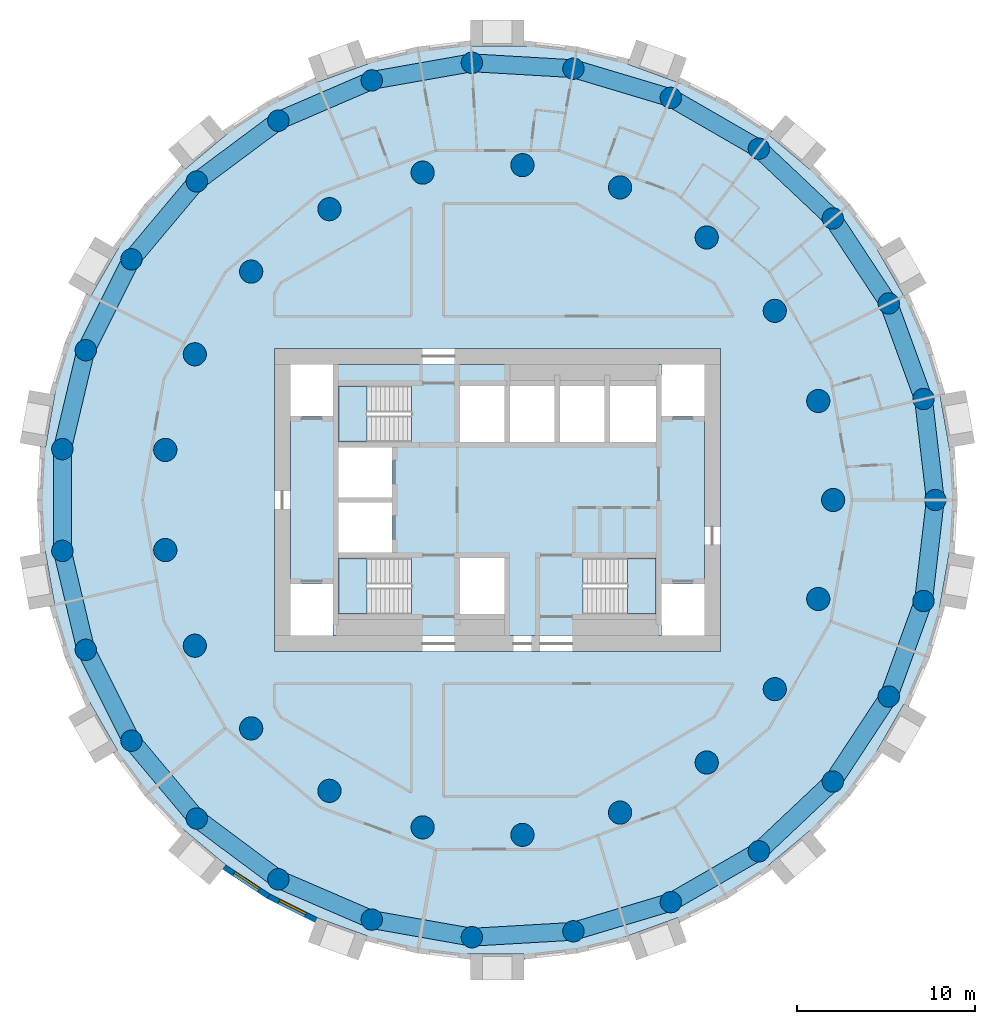
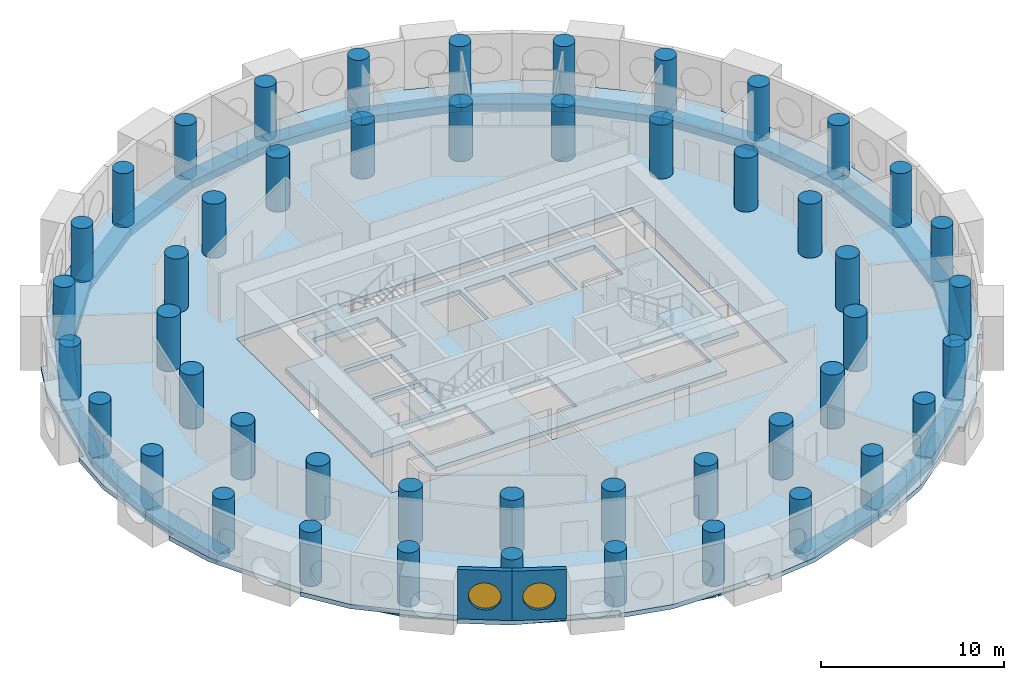
# One storey, part 1 of 9: 48 columns, 27 beams, 5 slabs, 2 walls, 2 windows, 2 openings, 3 elements without a shape of their own.
"""IFC4 building model written with IfcOpenShell, lengths in metres."""

from ifc_helpers import new_model, si_unit, direction, frame, frame_2d, origin, origin_2d, place, context, subcontext, project, spatial, polyline, rectangle, circle, outline, extrude, material, layer, layer_set, material_profile, profile_set, type_object, element, fill, aggregate, save


model = new_model("IFC4")

# Units and contexts
model_context = context("Model", 3, precision=1e-05, world=origin(), true_north=direction((0.0, 1.0)))
body_context = subcontext(model_context, "Body", "Model", "MODEL_VIEW")
ifc_project = project(units=[si_unit("LENGTHUNIT", "METRE"), si_unit("AREAUNIT", "SQUARE_METRE"), si_unit("VOLUMEUNIT", "CUBIC_METRE"), si_unit("PLANEANGLEUNIT", "RADIAN"), si_unit("MASSUNIT", "GRAM", prefix="KILO")], contexts=[model_context])

# Site, building, storey
site_placement = place(None, origin())
site = spatial("IfcSite", under=ifc_project, at=site_placement, CompositionType="ELEMENT")
building_placement = place(site_placement, origin())
building = spatial("IfcBuilding", under=site, at=building_placement, Name="Tracery Tower", CompositionType="ELEMENT")
storey_placement = place(building_placement, frame((0.0, 0.0, 165.60009765625)))
storey = spatial("IfcBuildingStorey", under=building, at=storey_placement, Name="L42", CompositionType="ELEMENT", Elevation=165.60009765625)

# Columns
ifc_material_1 = material(Name="Concrete C50/60", Category="concrete")
ifc_material_profile_1 = material_profile(ifc_material_1, circle(Radius=0.60009765625, at=origin_2d()), Name="RC D1200")
ifc_profile_set_1 = profile_set([ifc_material_profile_1], Name="Concrete C50/60")
column_type_1 = type_object("IfcColumnType", Name="Ring 1 column 1200", PredefinedType="COLUMN", material=ifc_profile_set_1)
for number, where, z_axis, x_axis, name in (
    (1, (24.547607421875, 0.0, 0.0), (0.0, 0.0, 1.0), (1.0, 0.0, 0.0), "Ring 1 column 00 at L42"),
    (2, (23.885986328125, 5.6611328125, 0.0), (0.0, 0.0, 1.0), (1.0, 0.0, 0.0), "Ring 1 column 01 at L42"),
    (3, (21.9365234375, 11.01708984375, 0.0), (0.0, 0.0, 1.0), (1.0, 0.0, 0.0), "Ring 1 column 02 at L42"),
    (4, (18.8046875, 15.779052734375, 0.0), (0.0, 0.0, 1.0), (1.0, 0.0, 0.0), "Ring 1 column 03 at L42"),
    (5, (14.658935546875, 19.690185546875, 0.0), (0.0, 0.0, 1.0), (1.0, 0.0, 0.0), "Ring 1 column 04 at L42"),
    (6, (9.722900390625, 22.5400390625, 0.0), (0.0, 0.0, 1.0), (1.0, 0.0, 0.0), "Ring 1 column 05 at L42"),
    (7, (4.2626953125, 24.1748046875, 0.0), (0.0, 0.0, 1.0), (1.0, 0.0, 0.0), "Ring 1 column 06 at L42"),
    (8, (-1.42724609375, 24.506103515625, 0.0), (0.0, 0.0, 1.0), (1.0, 0.0, 0.0), "Ring 1 column 07 at L42"),
    (9, (-7.040283203125, 23.516357421875, 0.0), (0.0, 0.0, 1.0), (1.0, 0.0, 0.0), "Ring 1 column 08 at L42"),
    (10, (-12.273681640625, 21.2587890625, 0.0), (0.0, 0.0, 1.0), (1.0, 0.0, 0.0), "Ring 1 column 09 at L42"),
    (11, (-16.845703125, 17.855224609375, 0.0), (0.0, 0.0, 1.0), (1.0, 0.0, 0.0), "Ring 1 column 10 at L42"),
    (12, (-20.50927734375, 13.4892578125, 0.0), (0.0, 0.0, 1.0), (1.0, 0.0, 0.0), "Ring 1 column 11 at L42"),
    (13, (-23.0673828125, 8.395751953125, 0.0), (0.0, 0.0, 1.0), (1.0, 0.0, 0.0), "Ring 1 column 12 at L42"),
    (14, (-24.381591796875, 2.849853515625, 0.0), (0.0, 0.0, 1.0), (1.0, 0.0, 0.0), "Ring 1 column 13 at L42"),
    (15, (-24.381591796875, -2.849853515625, 0.0), (0.0, 0.0, 1.0), (1.0, 0.0, 0.0), "Ring 1 column 14 at L42"),
    (16, (-23.0673828125, -8.395751953125, 0.0), (0.0, 0.0, 1.0), (1.0, 0.0, 0.0), "Ring 1 column 15 at L42"),
    (17, (-20.50927734375, -13.4892578125, 0.0), (0.0, 0.0, 1.0), (1.0, 0.0, 0.0), "Ring 1 column 16 at L42"),
    (18, (-16.845703125, -17.85546875, 0.0), (0.0, 0.0, 1.0), (1.0, 0.0, 0.0), "Ring 1 column 17 at L42"),
    (19, (-12.27392578125, -21.2587890625, 0.0), (0.0, 0.0, 1.0), (1.0, 0.0, 0.0), "Ring 1 column 18 at L42"),
    (20, (-7.040283203125, -23.516357421875, 0.0), (0.0, 0.0, 1.0), (1.0, 0.0, 0.0), "Ring 1 column 19 at L42"),
    (21, (-1.42724609375, -24.506103515625, 0.0), (0.0, 0.0, 1.0), (1.0, 0.0, 0.0), "Ring 1 column 20 at L42"),
    (22, (4.2626953125, -24.1748046875, 0.0), (0.0, 0.0, 1.0), (1.0, 0.0, 0.0), "Ring 1 column 21 at L42"),
    (23, (9.722900390625, -22.5400390625, 0.0), (0.0, 0.0, 1.0), (1.0, 0.0, 0.0), "Ring 1 column 22 at L42"),
    (24, (14.658935546875, -19.690185546875, 0.0), (0.0, 0.0, 1.0), (1.0, 0.0, 0.0), "Ring 1 column 23 at L42"),
    (25, (18.8046875, -15.779052734375, 0.0), (0.0, 0.0, 1.0), (1.0, 0.0, 0.0), "Ring 1 column 24 at L42"),
    (26, (21.9365234375, -11.01708984375, 0.0), (0.0, 0.0, 1.0), (1.0, 0.0, 0.0), "Ring 1 column 25 at L42"),
    (27, (23.885986328125, -5.6611328125, 0.0), (0.0, 0.0, 1.0), (1.0, 0.0, 0.0), "Ring 1 column 26 at L42"),
):
    element("IfcColumn", number, at=place(storey_placement, frame(where, z_axis=z_axis, x_axis=x_axis)), inside=storey, type_object=column_type_1, Name=name, PredefinedType="COLUMN", context=body_context, shape_type="SweptSolid", body=[
        extrude(circle(Radius=0.60009765625, at=origin_2d()), origin(), (0.0, 0.0, 1.0), 3.599853515625),
    ])
ifc_material_2 = material(Name="Concrete C50/60", Category="concrete")
ifc_material_profile_2 = material_profile(ifc_material_2, circle(Radius=0.64990234375, at=origin_2d()), Name="RC D1300")
ifc_profile_set_2 = profile_set([ifc_material_profile_2], Name="Concrete C50/60")
column_type_2 = type_object("IfcColumnType", Name="Ring 2 column 1300", PredefinedType="COLUMN", material=ifc_profile_set_2)
for number, where, z_axis, x_axis, name in (
    (28, (18.822265625, 0.0, 0.0), (0.0, 0.0, 1.0), (1.0, 0.0, 0.0), "Ring 2 column 00 at L42"),
    (29, (17.986083984375, 5.5478515625, 0.0), (0.0, 0.0, 1.0), (1.0, 0.0, 0.0), "Ring 2 column 01 at L42"),
    (30, (15.551513671875, 10.602783203125, 0.0), (0.0, 0.0, 1.0), (1.0, 0.0, 0.0), "Ring 2 column 02 at L42"),
    (31, (11.7353515625, 14.7158203125, 0.0), (0.0, 0.0, 1.0), (1.0, 0.0, 0.0), "Ring 2 column 03 at L42"),
    (32, (6.87646484375, 17.52099609375, 0.0), (0.0, 0.0, 1.0), (1.0, 0.0, 0.0), "Ring 2 column 04 at L42"),
    (33, (1.406494140625, 18.76953125, 0.0), (0.0, 0.0, 1.0), (1.0, 0.0, 0.0), "Ring 2 column 05 at L42"),
    (34, (-4.188232421875, 18.350341796875, 0.0), (0.0, 0.0, 1.0), (1.0, 0.0, 0.0), "Ring 2 column 06 at L42"),
    (35, (-9.4111328125, 16.300537109375, 0.0), (0.0, 0.0, 1.0), (1.0, 0.0, 0.0), "Ring 2 column 07 at L42"),
    (36, (-13.797607421875, 12.802490234375, 0.0), (0.0, 0.0, 1.0), (1.0, 0.0, 0.0), "Ring 2 column 08 at L42"),
    (37, (-16.958251953125, 8.16650390625, 0.0), (0.0, 0.0, 1.0), (1.0, 0.0, 0.0), "Ring 2 column 09 at L42"),
    (38, (-18.612060546875, 2.805419921875, 0.0), (0.0, 0.0, 1.0), (1.0, 0.0, 0.0), "Ring 2 column 10 at L42"),
    (39, (-18.612060546875, -2.805419921875, 0.0), (0.0, 0.0, 1.0), (1.0, 0.0, 0.0), "Ring 2 column 11 at L42"),
    (40, (-16.958251953125, -8.166748046875, 0.0), (0.0, 0.0, 1.0), (1.0, 0.0, 0.0), "Ring 2 column 12 at L42"),
    (41, (-13.797607421875, -12.80224609375, 0.0), (0.0, 0.0, 1.0), (1.0, 0.0, 0.0), "Ring 2 column 13 at L42"),
    (42, (-9.4111328125, -16.300537109375, 0.0), (0.0, 0.0, 1.0), (1.0, 0.0, 0.0), "Ring 2 column 14 at L42"),
    (43, (-4.188232421875, -18.350341796875, 0.0), (0.0, 0.0, 1.0), (1.0, 0.0, 0.0), "Ring 2 column 15 at L42"),
    (44, (1.406494140625, -18.76953125, 0.0), (0.0, 0.0, 1.0), (1.0, 0.0, 0.0), "Ring 2 column 16 at L42"),
    (45, (6.87646484375, -17.52099609375, 0.0), (0.0, 0.0, 1.0), (1.0, 0.0, 0.0), "Ring 2 column 17 at L42"),
    (46, (11.7353515625, -14.7158203125, 0.0), (0.0, 0.0, 1.0), (1.0, 0.0, 0.0), "Ring 2 column 18 at L42"),
    (47, (15.551513671875, -10.602783203125, 0.0), (0.0, 0.0, 1.0), (1.0, 0.0, 0.0), "Ring 2 column 19 at L42"),
    (48, (17.986083984375, -5.5478515625, 0.0), (0.0, 0.0, 1.0), (1.0, 0.0, 0.0), "Ring 2 column 20 at L42"),
):
    element("IfcColumn", number, at=place(storey_placement, frame(where, z_axis=z_axis, x_axis=x_axis)), inside=storey, type_object=column_type_2, Name=name, PredefinedType="COLUMN", context=body_context, shape_type="SweptSolid", body=[
        extrude(circle(Radius=0.64990234375, at=origin_2d()), origin(), (0.0, 0.0, 1.0), 3.599853515625),
    ])

# Beams
ifc_material_3 = material(Name="Concrete C50/60", Category="concrete")
ifc_material_profile_3 = material_profile(ifc_material_3, rectangle(XDim=1.0, YDim=0.5, at=origin_2d()), Name="RC 1000x500")
ifc_profile_set_3 = profile_set([ifc_material_profile_3], Name="Concrete C50/60")
beam_type = type_object("IfcBeamType", Name="Perimeter band beam 1000x500", PredefinedType="BEAM", material=ifc_profile_set_3)
for number, where, z_axis, x_axis, name in (
    (49, (24.547607421875, 0.0, -0.550048828125), (-0.116080723252, 0.993239782575, 0.0), (-0.993239782575, -0.116080723252, 0.0), "Perimeter beam 1.00 under L42"),
    (50, (23.885986328125, 5.6611328125, -0.550048828125), (-0.342028502279, 0.939689578334, 0.0), (-0.939689578334, -0.342028502279, 0.0), "Perimeter beam 1.01 under L42"),
):
    element("IfcBeam", number, at=place(storey_placement, frame(where, z_axis=z_axis, x_axis=x_axis)), inside=storey, type_object=beam_type, Name=name, PredefinedType="BEAM", context=body_context, shape_type="SweptSolid", body=[
        extrude(rectangle(XDim=1.0, YDim=0.5, at=origin_2d()), origin(), (0.0, 0.0, 1.0), 5.69970703125),
    ])
for number, where, z_axis, x_axis, name in (
    (51, (21.9365234375, 11.01708984375, -0.550048828125), (-0.549489832182, 0.835500403548, 0.0), (-0.835500403548, -0.549489832182, 0.0), "Perimeter beam 1.02 under L42"),
    (52, (18.8046875, 15.779052734375, -0.550048828125), (-0.727389618263, 0.686224703172, 0.0), (-0.686224703172, -0.727389618263, 0.0), "Perimeter beam 1.03 under L42"),
):
    element("IfcBeam", number, at=place(storey_placement, frame(where, z_axis=z_axis, x_axis=x_axis)), inside=storey, type_object=beam_type, Name=name, PredefinedType="BEAM", context=body_context, shape_type="SweptSolid", body=[
        extrude(rectangle(XDim=1.0, YDim=0.5, at=origin_2d()), origin(), (0.0, 0.0, 1.0), 5.699462890625),
    ])
for number, where, z_axis, x_axis, name in (
    (53, (14.658935546875, 19.690185546875, -0.550048828125), (-0.866022950691, 0.500004248858, 0.0), (-0.500004248858, -0.866022950691, 0.0), "Perimeter beam 1.04 under L42"),
    (54, (9.722900390625, 22.5400390625, -0.550048828125), (-0.957985292634, 0.28681732705, 0.0), (-0.28681732705, -0.957985292634, 0.0), "Perimeter beam 1.05 under L42"),
):
    element("IfcBeam", number, at=place(storey_placement, frame(where, z_axis=z_axis, x_axis=x_axis)), inside=storey, type_object=beam_type, Name=name, PredefinedType="BEAM", context=body_context, shape_type="SweptSolid", body=[
        extrude(rectangle(XDim=1.0, YDim=0.5, at=origin_2d()), origin(), (0.0, 0.0, 1.0), 5.69970703125),
    ])
beam_1_placement = place(storey_placement, frame((4.2626953125, 24.1748046875, -0.550048828125), z_axis=(-0.99830920221, 0.058126902403, 0.0), x_axis=(-0.058126902403, -0.99830920221, 0.0)))
element("IfcBeam", 55, at=beam_1_placement, inside=storey, type_object=beam_type, Name="Perimeter beam 1.06 under L42", PredefinedType="BEAM", context=body_context, shape_type="SweptSolid", body=[
    extrude(rectangle(XDim=1.0, YDim=0.5, at=origin_2d()), origin(), (0.0, 0.0, 1.0), 5.699462890625),
])
beam_2_placement = place(storey_placement, frame((-1.42724609375, 24.506103515625, -0.550048828125), z_axis=(-0.984807266719, -0.173650935552, 0.0), x_axis=(0.173650935552, -0.984807266719, 0.0)))
element("IfcBeam", 56, at=beam_2_placement, inside=storey, type_object=beam_type, Name="Perimeter beam 1.07 under L42", PredefinedType="BEAM", context=body_context, shape_type="SweptSolid", body=[
    extrude(rectangle(XDim=1.0, YDim=0.5, at=origin_2d()), origin(), (0.0, 0.0, 1.0), 5.69970703125),
])
beam_3_placement = place(storey_placement, frame((-7.040283203125, 23.516357421875, -0.550048828125), z_axis=(-0.918209685525, -0.396094652083, 0.0), x_axis=(0.396094652083, -0.918209685525, 0.0)))
element("IfcBeam", 57, at=beam_3_placement, inside=storey, type_object=beam_type, Name="Perimeter beam 1.08 under L42", PredefinedType="BEAM", context=body_context, shape_type="SweptSolid", body=[
    extrude(rectangle(XDim=1.0, YDim=0.5, at=origin_2d()), origin(), (0.0, 0.0, 1.0), 5.699462890625),
])
beam_4_placement = place(storey_placement, frame((-12.273681640625, 21.2587890625, -0.550048828125), z_axis=(-0.802138271299, -0.59713833717, 0.0), x_axis=(0.59713833717, -0.802138271299, 0.0)))
element("IfcBeam", 58, at=beam_4_placement, inside=storey, type_object=beam_type, Name="Perimeter beam 1.09 under L42", PredefinedType="BEAM", context=body_context, shape_type="SweptSolid", body=[
    extrude(rectangle(XDim=1.0, YDim=0.5, at=origin_2d()), origin(), (0.0, 0.0, 1.0), 5.69970703125),
])
beam_5_placement = place(storey_placement, frame((-16.845703125, 17.855224609375, -0.550048828125), z_axis=(-0.642797194343, -0.766036400535, 0.0), x_axis=(0.766036400535, -0.642797194343, 0.0)))
element("IfcBeam", 59, at=beam_5_placement, inside=storey, type_object=beam_type, Name="Perimeter beam 1.10 under L42", PredefinedType="BEAM", context=body_context, shape_type="SweptSolid", body=[
    extrude(rectangle(XDim=1.0, YDim=0.5, at=origin_2d()), origin(), (0.0, 0.0, 1.0), 5.699462890625),
])
beam_6_placement = place(storey_placement, frame((-20.50927734375, 13.4892578125, -0.550048828125), z_axis=(-0.448806280933, -0.893629074166, 0.0), x_axis=(0.893629074166, -0.448806280933, 0.0)))
element("IfcBeam", 60, at=beam_6_placement, inside=storey, type_object=beam_type, Name="Perimeter beam 1.11 under L42", PredefinedType="BEAM", context=body_context, shape_type="SweptSolid", body=[
    extrude(rectangle(XDim=1.0, YDim=0.5, at=origin_2d()), origin(), (0.0, 0.0, 1.0), 5.69970703125),
])
beam_7_placement = place(storey_placement, frame((-23.0673828125, 8.395751953125, -0.550048828125), z_axis=(-0.230583793756, -0.973052472407, 0.0), x_axis=(0.973052472407, -0.230583793756, 0.0)))
element("IfcBeam", 61, at=beam_7_placement, inside=storey, type_object=beam_type, Name="Perimeter beam 1.12 under L42", PredefinedType="BEAM", context=body_context, shape_type="SweptSolid", body=[
    extrude(rectangle(XDim=1.0, YDim=0.5, at=origin_2d()), origin(), (0.0, 0.0, 1.0), 5.699462890625),
])
beam_8_placement = place(storey_placement, frame((-24.381591796875, 2.849853515625, -0.550048828125), z_axis=(0.0, -1.0, 0.0), x_axis=(1.0, 0.0, 0.0)))
element("IfcBeam", 62, at=beam_8_placement, inside=storey, type_object=beam_type, Name="Perimeter beam 1.13 under L42", PredefinedType="BEAM", context=body_context, shape_type="SweptSolid", body=[
    extrude(rectangle(XDim=1.0, YDim=0.5, at=origin_2d()), origin(), (0.0, 0.0, 1.0), 5.69970703125),
])
beam_9_placement = place(storey_placement, frame((-24.381591796875, -2.849853515625, -0.550048828125), z_axis=(0.230583793756, -0.973052472407, 0.0), x_axis=(0.973052472407, 0.230583793756, 0.0)))
element("IfcBeam", 63, at=beam_9_placement, inside=storey, type_object=beam_type, Name="Perimeter beam 1.14 under L42", PredefinedType="BEAM", context=body_context, shape_type="SweptSolid", body=[
    extrude(rectangle(XDim=1.0, YDim=0.5, at=origin_2d()), origin(), (0.0, 0.0, 1.0), 5.699462890625),
])
for number, where, z_axis, x_axis, name in (
    (64, (-23.0673828125, -8.395751953125, -0.550048828125), (0.448806280933, -0.893629074166, 0.0), (0.893629074166, 0.448806280933, 0.0), "Perimeter beam 1.15 under L42"),
    (65, (-20.50927734375, -13.4892578125, -0.550048828125), (0.64277610208, -0.766054099, 0.0), (0.766054099, 0.64277610208, 0.0), "Perimeter beam 1.16 under L42"),
):
    element("IfcBeam", number, at=place(storey_placement, frame(where, z_axis=z_axis, x_axis=x_axis)), inside=storey, type_object=beam_type, Name=name, PredefinedType="BEAM", context=body_context, shape_type="SweptSolid", body=[
        extrude(rectangle(XDim=1.0, YDim=0.5, at=origin_2d()), origin(), (0.0, 0.0, 1.0), 5.69970703125),
    ])
beam_10_placement = place(storey_placement, frame((-16.845703125, -17.85546875, -0.550048828125), z_axis=(0.802143514942, -0.597131293298, 0.0), x_axis=(0.597131293298, 0.802143514942, 0.0)))
element("IfcBeam", 66, at=beam_10_placement, inside=storey, type_object=beam_type, Name="Perimeter beam 1.17 under L42", PredefinedType="BEAM", context=body_context, shape_type="SweptSolid", body=[
    extrude(rectangle(XDim=1.0, YDim=0.5, at=origin_2d()), origin(), (0.0, 0.0, 1.0), 5.699462890625),
])
for number, where, z_axis, x_axis, name in (
    (67, (-12.27392578125, -21.2587890625, -0.550048828125), (0.918216405543, -0.39607907366, 0.0), (0.39607907366, 0.918216405543, 0.0), "Perimeter beam 1.18 under L42"),
    (68, (-7.040283203125, -23.516357421875, -0.550048828125), (0.984807266719, -0.173650935552, 0.0), (0.173650935552, 0.984807266719, 0.0), "Perimeter beam 1.19 under L42"),
):
    element("IfcBeam", number, at=place(storey_placement, frame(where, z_axis=z_axis, x_axis=x_axis)), inside=storey, type_object=beam_type, Name=name, PredefinedType="BEAM", context=body_context, shape_type="SweptSolid", body=[
        extrude(rectangle(XDim=1.0, YDim=0.5, at=origin_2d()), origin(), (0.0, 0.0, 1.0), 5.69970703125),
    ])
beam_11_placement = place(storey_placement, frame((-1.42724609375, -24.506103515625, -0.550048828125), z_axis=(0.99830920221, 0.058126902403, 0.0), x_axis=(-0.058126902403, 0.99830920221, 0.0)))
element("IfcBeam", 69, at=beam_11_placement, inside=storey, type_object=beam_type, Name="Perimeter beam 1.20 under L42", PredefinedType="BEAM", context=body_context, shape_type="SweptSolid", body=[
    extrude(rectangle(XDim=1.0, YDim=0.5, at=origin_2d()), origin(), (0.0, 0.0, 1.0), 5.699462890625),
])
for number, where, z_axis, x_axis, name in (
    (70, (4.2626953125, -24.1748046875, -0.550048828125), (0.957985292634, 0.28681732705, 0.0), (-0.28681732705, 0.957985292634, 0.0), "Perimeter beam 1.21 under L42"),
    (71, (9.722900390625, -22.5400390625, -0.550048828125), (0.866022950691, 0.500004248858, 0.0), (-0.500004248858, 0.866022950691, 0.0), "Perimeter beam 1.22 under L42"),
):
    element("IfcBeam", number, at=place(storey_placement, frame(where, z_axis=z_axis, x_axis=x_axis)), inside=storey, type_object=beam_type, Name=name, PredefinedType="BEAM", context=body_context, shape_type="SweptSolid", body=[
        extrude(rectangle(XDim=1.0, YDim=0.5, at=origin_2d()), origin(), (0.0, 0.0, 1.0), 5.69970703125),
    ])
for number, where, z_axis, x_axis, name in (
    (72, (14.658935546875, -19.690185546875, -0.550048828125), (0.727389618263, 0.686224703172, 0.0), (-0.686224703172, 0.727389618263, 0.0), "Perimeter beam 1.23 under L42"),
    (73, (18.8046875, -15.779052734375, -0.550048828125), (0.549489832182, 0.835500403548, 0.0), (-0.835500403548, 0.549489832182, 0.0), "Perimeter beam 1.24 under L42"),
):
    element("IfcBeam", number, at=place(storey_placement, frame(where, z_axis=z_axis, x_axis=x_axis)), inside=storey, type_object=beam_type, Name=name, PredefinedType="BEAM", context=body_context, shape_type="SweptSolid", body=[
        extrude(rectangle(XDim=1.0, YDim=0.5, at=origin_2d()), origin(), (0.0, 0.0, 1.0), 5.699462890625),
    ])
for number, where, z_axis, x_axis, name in (
    (74, (21.9365234375, -11.01708984375, -0.550048828125), (0.342028502279, 0.939689578334, 0.0), (-0.939689578334, 0.342028502279, 0.0), "Perimeter beam 1.25 under L42"),
    (75, (23.885986328125, -5.6611328125, -0.550048828125), (0.116080723252, 0.993239782575, 0.0), (-0.993239782575, 0.116080723252, 0.0), "Perimeter beam 1.26 under L42"),
):
    element("IfcBeam", number, at=place(storey_placement, frame(where, z_axis=z_axis, x_axis=x_axis)), inside=storey, type_object=beam_type, Name=name, PredefinedType="BEAM", context=body_context, shape_type="SweptSolid", body=[
        extrude(rectangle(XDim=1.0, YDim=0.5, at=origin_2d()), origin(), (0.0, 0.0, 1.0), 5.69970703125),
    ])

# Slabs
ifc_material_4 = material(Name="Concrete C50/60", Category="concrete")
ifc_layer_1 = layer(ifc_material_4, 0.300048828125)
ifc_layer_set_1 = layer_set([ifc_layer_1], Name="Core floor slab 300 C50")
slab_type_1 = type_object("IfcSlabType", Name="Core floor slab 300 C50", PredefinedType="FLOOR", material=ifc_layer_set_1)
slab_1_placement = place(storey_placement, frame((0.0, 0.0, -0.300048828125)))
element("IfcSlab", 76, at=slab_1_placement, inside=storey, type_object=slab_type_1, Name="L42 core floor 1", PredefinedType="FLOOR", context=body_context, shape_type="SweptSolid", body=[
    extrude(outline(polyline([(-9.199951171875, 7.60009765625), (9.199951171875, 7.60009765625), (9.199951171875, 4.699951171875), (11.60009765625, 4.699951171875), (11.60009765625, -4.699951171875), (9.199951171875, -4.699951171875), (9.199951171875, -7.60009765625), (-9.199951171875, -7.60009765625), (-9.199951171875, -4.699951171875), (-11.60009765625, -4.699951171875), (-11.60009765625, 4.699951171875), (-9.199951171875, 4.699951171875), (-9.199951171875, 7.60009765625)]), holes=[polyline([(4.800537109375, -6.39990234375), (8.89990234375, -6.39990234375), (8.89990234375, -3.25), (4.800537109375, -3.25), (4.800537109375, -6.39990234375)]), polyline([(8.89990234375, 3.25), (8.89990234375, 6.39990234375), (6.300048828125, 6.39990234375), (6.300048828125, 3.25), (8.89990234375, 3.25)]), polyline([(6.0, 3.25), (6.0, 6.39990234375), (3.5, 6.39990234375), (3.5, 3.25), (6.0, 3.25)]), polyline([(3.199951171875, 3.25), (3.199951171875, 6.39990234375), (0.699951171875, 6.39990234375), (0.699951171875, 3.25), (3.199951171875, 3.25)]), polyline([(-2.10009765625, 3.25), (0.39990234375, 3.25), (0.39990234375, 6.39990234375), (-2.10009765625, 6.39990234375), (-2.10009765625, 3.25)]), polyline([(0.39990234375, -6.39990234375), (0.39990234375, -3.25), (-2.10009765625, -3.25), (-2.10009765625, -6.39990234375), (0.39990234375, -6.39990234375)]), polyline([(-4.800537109375, -3.25), (-8.89990234375, -3.25), (-8.89990234375, -6.39990234375), (-4.800537109375, -6.39990234375), (-4.800537109375, -3.25)]), polyline([(-4.800537109375, 6.39990234375), (-8.89990234375, 6.39990234375), (-8.89990234375, 3.25), (-4.800537109375, 3.25), (-4.800537109375, 6.39990234375)]), polyline([(-5.89990234375, -2.949951171875), (-5.89990234375, -0.14990234375), (-8.89990234375, -0.14990234375), (-8.89990234375, -2.949951171875), (-5.89990234375, -2.949951171875)]), polyline([(-5.89990234375, 0.14990234375), (-5.89990234375, 2.949951171875), (-8.89990234375, 2.949951171875), (-8.89990234375, 0.14990234375), (-5.89990234375, 0.14990234375)])]), origin(), (0.0, 0.0, 1.0), 0.300048828125),
])
ifc_material_5 = material(Name="Concrete C40/50", Category="concrete")
ifc_layer_2 = layer(ifc_material_5, 0.300048828125)
ifc_layer_set_2 = layer_set([ifc_layer_2], Name="Floor slab 300")
slab_type_2 = type_object("IfcSlabType", Name="Floor slab 300", PredefinedType="FLOOR", material=ifc_layer_set_2)
slab_2_placement = place(storey_placement, frame((0.0, 0.0, -0.300048828125)))
element("IfcSlab", 77, at=slab_2_placement, inside=storey, type_object=slab_type_2, Name="Floor slab L42", PredefinedType="FLOOR", context=body_context, shape_type="SweptSolid", body=[
    extrude(outline(polyline([(25.32470703125, 2.959716796875), (25.07568359375, 4.373291015625), (24.809814453125, 5.880126953125), (24.809814453125, 5.880126953125), (24.806884765625, 5.897216796875), (25.1015625, 5.94921875), (25.102294921875, 5.949462890625), (24.241943359375, 8.8232421875), (22.78515625, 11.443115234375), (21.302490234375, 14.010986328125), (21.302490234375, 14.010986328125), (21.2939453125, 14.026123046875), (21.5537109375, 14.176025390625), (21.5537109375, 14.176025390625), (19.76220703125, 16.58251953125), (17.497314453125, 18.5458984375), (16.89501953125, 19.051513671875), (15.21240234375, 20.463134765625), (15.4052734375, 20.69287109375), (12.89892578125, 22.341552734375), (10.098876953125, 23.411865234375), (7.312744140625, 24.426025390625), (7.312744140625, 24.426025390625), (7.29638671875, 24.431884765625), (7.39892578125, 24.7138671875), (4.479736328125, 25.40576171875), (1.4853515625, 25.4541015625), (-1.5, 25.4541015625), (-1.5, 25.754150390625), (-4.479736328125, 25.40576171875), (-7.312744140625, 24.426025390625), (-10.098876953125, 23.411865234375), (-10.098876953125, 23.411865234375), (-10.115234375, 23.406005859375), (-10.218017578125, 23.68798828125), (-12.898681640625, 22.341552734375), (-15.224609375, 20.453125), (-16.89501953125, 19.051513671875), (-17.497314453125, 18.5458984375), (-17.497314453125, 18.5458984375), (-17.510498046875, 18.534912109375), (-17.703369140625, 18.764404296875), (-17.70361328125, 18.7646484375), (-19.76220703125, 16.58251953125), (-21.302490234375, 14.010986328125), (-22.78515625, 11.443115234375), (-22.78515625, 11.443115234375), (-22.7939453125, 11.427978515625), (-23.0537109375, 11.577880859375), (-23.0537109375, 11.577880859375), (-24.241943359375, 8.8232421875), (-24.809814453125, 5.880126953125), (-25.07568359375, 4.373291015625), (-25.327880859375, 2.94287109375), (-25.622802734375, 2.994873046875), (-25.623291015625, 2.994873046875), (-25.797607421875, 0.0), (-25.32470703125, -2.959716796875), (-25.07568359375, -4.373291015625), (-24.809814453125, -5.880126953125), (-24.809814453125, -5.880126953125), (-24.806884765625, -5.897216796875), (-25.1015625, -5.94921875), (-25.102294921875, -5.949462890625), (-24.241943359375, -8.8232421875), (-22.78515625, -11.443115234375), (-21.302490234375, -14.010986328125), (-21.302490234375, -14.010986328125), (-21.2939453125, -14.026123046875), (-21.5537109375, -14.176025390625), (-21.5537109375, -14.176025390625), (-19.76220703125, -16.58251953125), (-17.497314453125, -18.5458984375), (-16.89501953125, -19.051513671875), (-15.21240234375, -20.463134765625), (-15.4052734375, -20.69287109375), (-12.89892578125, -22.341552734375), (-10.098876953125, -23.411865234375), (-7.312744140625, -24.426025390625), (-7.312744140625, -24.426025390625), (-7.29638671875, -24.431884765625), (-7.39892578125, -24.7138671875), (-4.479736328125, -25.40576171875), (-1.4853515625, -25.4541015625), (1.5, -25.4541015625), (1.5, -25.754150390625), (4.479736328125, -25.40576171875), (7.312744140625, -24.426025390625), (10.098876953125, -23.411865234375), (10.098876953125, -23.411865234375), (10.115234375, -23.406005859375), (10.218017578125, -23.68798828125), (12.89892578125, -22.341552734375), (15.224609375, -20.453125), (16.89501953125, -19.051513671875), (17.497314453125, -18.5458984375), (17.497314453125, -18.5458984375), (17.510498046875, -18.534912109375), (17.703369140625, -18.764404296875), (17.70361328125, -18.7646484375), (19.76220703125, -16.58251953125), (21.302490234375, -14.010986328125), (22.78515625, -11.443115234375), (22.78515625, -11.443115234375), (22.7939453125, -11.427978515625), (23.0537109375, -11.577880859375), (23.0537109375, -11.577880859375), (24.241943359375, -8.8232421875), (24.809814453125, -5.880126953125), (25.07568359375, -4.373291015625), (25.327880859375, -2.94287109375), (25.622802734375, -2.994873046875), (25.623291015625, -2.994873046875), (25.797607421875, 0.0), (25.32470703125, 2.959716796875)]), holes=[polyline([(-12.5, -8.5), (12.5, -8.5), (12.5, 8.5), (-12.5, 8.5), (-12.5, -8.5)])]), origin(), (0.0, 0.0, 1.0), 0.300048828125),
])

# Stair, slab
ifc_material_6 = material(Name="Concrete C32/40", Category="concrete")
stair_type = type_object("IfcStairType", Name="Core stair 22 risers", PredefinedType="HALF_TURN_STAIR", material=ifc_material_6)
stair_1_placement = place(storey_placement, origin())
stair_1 = element("IfcStair", 78, at=stair_1_placement, inside=storey, type_object=stair_type, Name="L42 stair ST1", PredefinedType="HALF_TURN_STAIR")
ifc_material_7 = material(Name="Concrete C32/40", Category="concrete")
ifc_layer_3 = layer(ifc_material_7, 0.199951171875)
ifc_layer_set_3 = layer_set([ifc_layer_3], Name="Stair landing slab 200")
slab_type_3 = type_object("IfcSlabType", Name="Stair landing slab 200", PredefinedType="LANDING", material=ifc_layer_set_3)
slab_3_placement = place(storey_placement, frame((0.0, 0.0, 1.599853515625)))
slab_3 = element("IfcSlab", 79, at=slab_3_placement, type_object=slab_type_3, Name="ST1 landing 1", PredefinedType="LANDING", context=body_context, shape_type="SweptSolid", body=[
    extrude(outline(polyline([(-7.29931640625, -3.25), (-8.89990234375, -3.25), (-8.89990234375, -6.39990234375), (-7.29931640625, -6.39990234375), (-7.29931640625, -3.25)])), origin(), (0.0, 0.0, 1.0), 0.199951171875),
])
aggregate(stair_1, [slab_3])

stair_2_placement = place(storey_placement, origin())
stair_2 = element("IfcStair", 80, at=stair_2_placement, inside=storey, type_object=stair_type, Name="L42 stair ST3", PredefinedType="HALF_TURN_STAIR")
slab_4_placement = place(storey_placement, frame((0.0, 0.0, 1.599853515625)))
slab_4 = element("IfcSlab", 81, at=slab_4_placement, type_object=slab_type_3, Name="ST3 landing 1", PredefinedType="LANDING", context=body_context, shape_type="SweptSolid", body=[
    extrude(outline(polyline([(-7.29931640625, 6.39990234375), (-8.89990234375, 6.39990234375), (-8.89990234375, 3.25), (-7.29931640625, 3.25), (-7.29931640625, 6.39990234375)])), origin(), (0.0, 0.0, 1.0), 0.199951171875),
])
aggregate(stair_2, [slab_4])

stair_3_placement = place(storey_placement, origin())
stair_3 = element("IfcStair", 82, at=stair_3_placement, inside=storey, type_object=stair_type, Name="L42 stair ST2", PredefinedType="HALF_TURN_STAIR")
slab_5_placement = place(storey_placement, frame((0.0, 0.0, 1.599853515625)))
slab_5 = element("IfcSlab", 83, at=slab_5_placement, type_object=slab_type_3, Name="ST2 landing 1", PredefinedType="LANDING", context=body_context, shape_type="SweptSolid", body=[
    extrude(outline(polyline([(7.29931640625, -6.39990234375), (8.89990234375, -6.39990234375), (8.89990234375, -3.25), (7.29931640625, -3.25), (7.29931640625, -6.39990234375)])), origin(), (0.0, 0.0, 1.0), 0.199951171875),
])
aggregate(stair_3, [slab_5])

# Wall, opening, window
ifc_material_8 = material(Name="Precast concrete C50/60", Category="concrete")
ifc_layer_4 = layer(ifc_material_8, 0.300048828125)
ifc_layer_set_4 = layer_set([ifc_layer_4], Name="Facade panel 3000 x 3300")
wall_type = type_object("IfcWallType", Name="Facade panel 3000 x 3300", PredefinedType="SOLIDWALL", material=ifc_layer_set_4)
wall_1_placement = place(storey_placement, frame((-15.3076171875, -20.57763671875, 0.0), z_axis=(0.0, 0.0, 1.0), x_axis=(0.835470659512, -0.549535055382, 0.0)))
wall_1 = element("IfcWall", 84, at=wall_1_placement, inside=storey, type_object=wall_type, Name="Facade panel 36 at L42", PredefinedType="SOLIDWALL", context=body_context, shape_type="SweptSolid", body=[
    extrude(rectangle(XDim=2.97314453125, YDim=0.300048828125, at=frame_2d((1.486572265625, 0.0))), origin(), (0.0, 0.0, 1.0), 3.2998046875),
])
opening_1_placement = place(wall_1_placement, frame((1.486328125, 0.0, 1.5498046875)))
opening_1 = element("IfcOpeningElement", 85, at=opening_1_placement, cuts=wall_1, Name="Opening WN1", PredefinedType="OPENING", context=body_context, shape_type="SweptSolid", body=[
    extrude(circle(Radius=0.9000244140625, at=origin_2d()), frame((0.0, 0.159912109375, 0.0), z_axis=(0.0, -1.0, 0.0), x_axis=(1.0, 0.0, 0.0)), (0.0, 0.0, 1.0), 0.320068359375),
])
ifc_material_9 = material(Name="Aluminium frame with tinted double glazing", Category="aluminium")
window_type = type_object("IfcWindowType", Name="Round window 1800", PartitioningType="SINGLE_PANEL", PredefinedType="WINDOW", material=ifc_material_9)
window_1_placement = place(opening_1_placement, origin())
window_1 = element("IfcWindow", 86, at=window_1_placement, inside=storey, type_object=window_type, Name="Round window 36 at L42", OverallHeight=1.800048828125, OverallWidth=1.800048828125, PartitioningType="SINGLE_PANEL", PredefinedType="WINDOW", context=body_context, shape_type="SweptSolid", body=[
    extrude(circle(Radius=0.9000244140625, at=origin_2d()), frame((0.0, 0.1201171875, 0.0), z_axis=(0.0, -1.0, 0.0), x_axis=(1.0, 0.0, 0.0)), (0.0, 0.0, 1.0), 0.10009765625),
])
fill(opening_1, window_1)

wall_2_placement = place(storey_placement, frame((-12.82373046875, -22.21142578125, 0.0), z_axis=(0.0, 0.0, 1.0), x_axis=(0.893637442555, -0.448789618045, 0.0)))
wall_2 = element("IfcWall", 87, at=wall_2_placement, inside=storey, type_object=wall_type, Name="Facade panel 37 at L42", PredefinedType="SOLIDWALL", context=body_context, shape_type="SweptSolid", body=[
    extrude(rectangle(XDim=2.972900390625, YDim=0.300048828125, at=frame_2d((1.486328125, 0.0))), origin(), (0.0, 0.0, 1.0), 3.2998046875),
])
opening_2_placement = place(wall_2_placement, frame((1.486328125, 0.0, 1.5498046875)))
opening_2 = element("IfcOpeningElement", 88, at=opening_2_placement, cuts=wall_2, Name="Opening WN1", PredefinedType="OPENING", context=body_context, shape_type="SweptSolid", body=[
    extrude(circle(Radius=0.9000244140625, at=origin_2d()), frame((0.0, 0.159912109375, 0.0), z_axis=(0.0, -1.0, 0.0), x_axis=(1.0, 0.0, 0.0)), (0.0, 0.0, 1.0), 0.320068359375),
])
window_2_placement = place(opening_2_placement, origin())
window_2 = element("IfcWindow", 89, at=window_2_placement, inside=storey, type_object=window_type, Name="Round window 37 at L42", OverallHeight=1.800048828125, OverallWidth=1.800048828125, PartitioningType="SINGLE_PANEL", PredefinedType="WINDOW", context=body_context, shape_type="SweptSolid", body=[
    extrude(circle(Radius=0.9000244140625, at=origin_2d()), frame((0.0, 0.1201171875, 0.0), z_axis=(0.0, -1.0, 0.0), x_axis=(1.0, 0.0, 0.0)), (0.0, 0.0, 1.0), 0.10009765625),
])
fill(opening_2, window_2)

save(model, "model.ifc")
